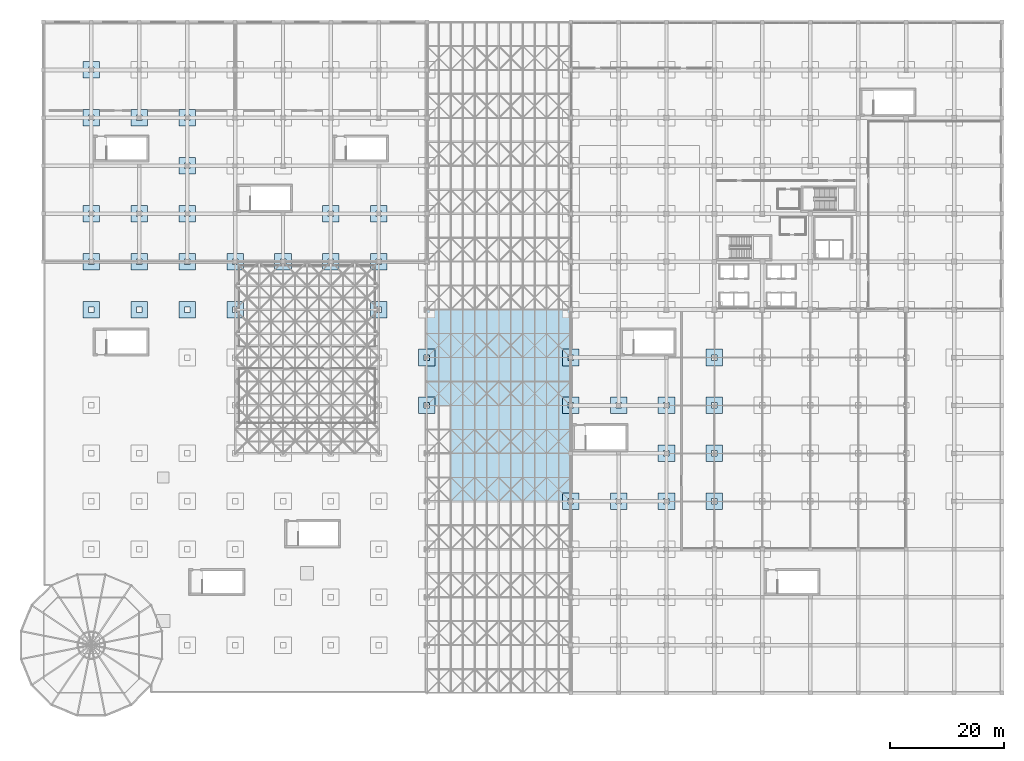
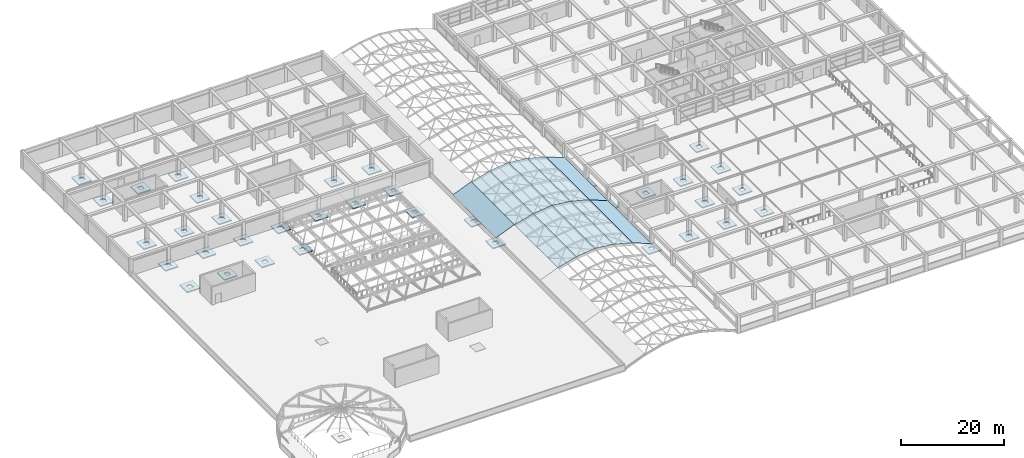
# One storey, part 67 of 85: 47 slabs, 2 elements without a shape of their own.
"""IFC4 building model written with IfcOpenShell, lengths in metres."""

import ifcopenshell
import ifcopenshell.guid

model = None  # the IFC model being written
_history = None  # IfcOwnerHistory: only IFC2X3 demands one
_inside = {}  # id of a spatial element -> (the spatial element, [elements in it])
_under = {}  # id of a project, library or spatial element -> (it, [spatial elements below it])
_declared = {}  # id of a project -> (the project, [libraries it declares])
_typed = {}  # id of a type object -> (the type object, [elements of that type])
_made_of = {}  # id of a material, layer set ... -> (it, [elements and type objects made of it])


def new_model(schema):
    """Start an empty IFC model of exactly this schema.

    Asked for "IFC4X3", IfcOpenShell would pick the latest addendum, in which some entities
    have other attributes; the version numbers below select the first issue.
    IFC2X3 requires an IfcOwnerHistory on every rooted entity: one is made here for all.
    """
    global model, _history
    if schema == "IFC4X3":
        model = ifcopenshell.file(schema_version=(4, 3, 0, 0))
    else:
        model = ifcopenshell.file(schema=schema)
    _inside.clear()
    _under.clear()
    _declared.clear()
    _typed.clear()
    _made_of.clear()
    _history = None
    if model.schema == "IFC2X3":
        org = make("IfcOrganization", Name="unknown")
        user = make(
            "IfcPersonAndOrganization",
            ThePerson=make("IfcPerson", FamilyName="unknown"),
            TheOrganization=org,
        )
        app = make(
            "IfcApplication",
            ApplicationDeveloper=org,
            Version="unknown",
            ApplicationFullName="unknown",
            ApplicationIdentifier="unknown",
        )
        _history = make(
            "IfcOwnerHistory",
            OwningUser=user,
            OwningApplication=app,
            ChangeAction="ADDED",
            CreationDate=0,
        )
    return model


def make(cls, **values):
    """One entity of the class cls with the attributes given. An attribute that is None is left unset."""
    return model.create_entity(
        cls, **{name: value for name, value in values.items() if value is not None}
    )


def rooted(cls, **values):
    """An entity with a GlobalId (a new one), such as an element, a storey or a relation."""
    return make(cls, GlobalId=ifcopenshell.guid.new(), OwnerHistory=_history, **values)


def si_unit(unit_type, name, prefix=None):
    """IfcSIUnit, for example si_unit("LENGTHUNIT", "METRE", prefix="MILLI")."""
    return make("IfcSIUnit", UnitType=unit_type, Prefix=prefix, Name=name)


def assignment(units):
    """IfcUnitAssignment: the units of a project."""
    return None if units is None else make("IfcUnitAssignment", Units=units)


def point(xyz):
    """IfcCartesianPoint."""
    return None if xyz is None else make("IfcCartesianPoint", Coordinates=xyz)


def direction(xyz):
    """IfcDirection."""
    return None if xyz is None else make("IfcDirection", DirectionRatios=xyz)


def frame(location, z_axis=None, x_axis=None):
    """IfcAxis2Placement3D, a coordinate frame: its origin and axes. An axis left out is left unset."""
    return make(
        "IfcAxis2Placement3D",
        Location=point(location),
        Axis=direction(z_axis),
        RefDirection=direction(x_axis),
    )


def origin():
    """The frame at (0, 0, 0) with its axes left unset."""
    return frame((0.0, 0.0, 0.0))


def place(relative_to, where):
    """IfcLocalPlacement: puts the frame where relative to a parent placement (None: the world)."""
    return make(
        "IfcLocalPlacement", PlacementRelTo=relative_to, RelativePlacement=where
    )


def context(
    kind, dimensions, precision=None, world=None, true_north=None, identifier=None
):
    """IfcGeometricRepresentationContext, for example the 3D "Model" context."""
    return make(
        "IfcGeometricRepresentationContext",
        ContextIdentifier=identifier,
        ContextType=kind,
        CoordinateSpaceDimension=dimensions,
        Precision=precision,
        WorldCoordinateSystem=world,
        TrueNorth=true_north,
    )


def subcontext(parent, identifier, kind, view, scale=None):
    """IfcGeometricRepresentationSubContext, for example "Body" below "Model"."""
    return make(
        "IfcGeometricRepresentationSubContext",
        ContextIdentifier=identifier,
        ContextType=kind,
        ParentContext=parent,
        TargetScale=scale,
        TargetView=view,
    )


def project(units=None, contexts=None):
    """IfcProject with its units and contexts."""
    return rooted(
        "IfcProject",
        Name="project",
        RepresentationContexts=contexts,
        UnitsInContext=assignment(units),
    )


def spatial(cls, under=None, at=None, **own):
    """A site, building, storey or space (cls), placed at a placement, below another one or the project."""
    s = rooted(cls, ObjectPlacement=at, **own)
    if under is not None:
        _under.setdefault(under.id(), (under, []))[1].append(s)
    return s


def polyline(points):
    """IfcPolyline through the points."""
    return make("IfcPolyline", Points=[point(p) for p in points])


def outline(outer, holes=None, kind="AREA"):
    """IfcArbitraryClosedProfileDef: a profile drawn as a closed curve; with holes, ...WithVoids."""
    if holes is None:
        return make("IfcArbitraryClosedProfileDef", ProfileType=kind, OuterCurve=outer)
    return make(
        "IfcArbitraryProfileDefWithVoids",
        ProfileType=kind,
        OuterCurve=outer,
        InnerCurves=holes,
    )


def extrude(swept, where, along, depth):
    """IfcExtrudedAreaSolid: the profile swept, set in the frame where, extruded along a direction by depth."""
    return make(
        "IfcExtrudedAreaSolid",
        SweptArea=swept,
        Position=where,
        ExtrudedDirection=direction(along),
        Depth=depth,
    )


def shape(context_of_items, identifier, shape_type, items):
    """IfcShapeRepresentation: the items that make up one representation, for example the "Body"."""
    return make(
        "IfcShapeRepresentation",
        ContextOfItems=context_of_items,
        RepresentationIdentifier=identifier,
        RepresentationType=shape_type,
        Items=items,
    )


def material(Name=None, Category=None):
    """IfcMaterial."""
    return make("IfcMaterial", Name=Name, Category=Category)


def layer(
    of_material, thickness, ventilated=None, Name=None, Category=None, Priority=None
):
    """IfcMaterialLayer: one layer of a wall or slab, of a material (None: an air gap)."""
    return make(
        "IfcMaterialLayer",
        Material=of_material,
        LayerThickness=thickness,
        IsVentilated=ventilated,
        Name=Name,
        Category=Category,
        Priority=Priority,
    )


def layer_set(layers, Name=None):
    """IfcMaterialLayerSet."""
    return make("IfcMaterialLayerSet", MaterialLayers=layers, LayerSetName=Name)


def made_of(thing, what):
    """Note that an element or type object is made of a material, layer set ...; save() writes the relation."""
    if what is not None:
        _made_of.setdefault(what.id(), (what, []))[1].append(thing)
    return thing


def type_object(cls, material=None, **own):
    """A type object (cls), such as IfcWallType, which elements share."""
    return made_of(rooted(cls, **own), material)


def element(
    cls,
    number,
    at=None,
    inside=None,
    cuts=None,
    type_object=None,
    material=None,
    context=None,
    identifier="Body",
    shape_type=None,
    held_by="IfcProductDefinitionShape",
    body=None,
    shapes=None,
    **own,
):
    """One element of the class cls, such as IfcWall. Its Tag is "e" and its number.

    at: its placement. inside: the storey or other place that contains it. cuts: it is an
    opening in that element (IfcRelVoidsElement). A single representation is given by context,
    identifier, shape_type and body (its items); several are given by shapes. held_by: the class
    of the entity that holds the representations. save() writes the other relations.
    """
    e = rooted(cls, Tag="e%d" % number, ObjectPlacement=at, **own)
    if body is not None:
        shapes = [shape(context, identifier, shape_type, body)]
    if shapes is not None:
        e.Representation = make(held_by, Representations=shapes)
    if inside is not None:
        _inside.setdefault(inside.id(), (inside, []))[1].append(e)
    if cuts is not None:
        rooted(
            "IfcRelVoidsElement", RelatingBuildingElement=cuts, RelatedOpeningElement=e
        )
    if type_object is not None:
        _typed.setdefault(type_object.id(), (type_object, []))[1].append(e)
    return made_of(e, material)


def aggregate(whole, parts):
    """IfcRelAggregates: a whole, such as a stair, and the parts it consists of."""
    return rooted("IfcRelAggregates", RelatingObject=whole, RelatedObjects=parts)


def save(model, path):
    """Write the relations noted so far, then the file.

    IfcRelAggregates (storeys below a building ...), IfcRelContainedInSpatialStructure (elements
    in a storey), IfcRelDefinesByType, IfcRelAssociatesMaterial and IfcRelDeclares: one each for
    every whole, place, type object, material and project.
    """
    for whole, parts in _under.values():
        aggregate(whole, parts)
    for where, things in _inside.values():
        rooted(
            "IfcRelContainedInSpatialStructure",
            RelatedElements=things,
            RelatingStructure=where,
        )
    for kind, things in _typed.values():
        rooted("IfcRelDefinesByType", RelatedObjects=things, RelatingType=kind)
    for what, things in _made_of.values():
        rooted("IfcRelAssociatesMaterial", RelatedObjects=things, RelatingMaterial=what)
    for by, libraries in _declared.values():
        rooted("IfcRelDeclares", RelatingContext=by, RelatedDefinitions=libraries)
    model.write(path)


model = new_model("IFC4")

# Units and contexts
model_context = context("Model", 3, precision=1e-05, world=origin(), true_north=direction((0.0, 1.0)))
body_context = subcontext(model_context, "Body", "Model", "MODEL_VIEW")
ifc_project = project(units=[si_unit("LENGTHUNIT", "METRE"), si_unit("AREAUNIT", "SQUARE_METRE"), si_unit("VOLUMEUNIT", "CUBIC_METRE"), si_unit("PLANEANGLEUNIT", "RADIAN"), si_unit("MASSUNIT", "GRAM", prefix="KILO")], contexts=[model_context])

# Site, building, storey
site_placement = place(None, origin())
site = spatial("IfcSite", under=ifc_project, at=site_placement, CompositionType="ELEMENT")
building_placement = place(site_placement, origin())
building = spatial("IfcBuilding", under=site, at=building_placement, Name="Almacenes y Pasaje Nevantli", CompositionType="ELEMENT")
storey_placement = place(building_placement, frame((0.0, 0.0, 22.199951171875)))
storey = spatial("IfcBuildingStorey", under=building, at=storey_placement, Name="L05", CompositionType="ELEMENT", Elevation=22.199951171875)

# Slabs
ifc_material_1 = material(Name="Concrete C35/45", Category="concrete")
ifc_layer_1 = layer(ifc_material_1, 0.25)
ifc_layer_set_1 = layer_set([ifc_layer_1], Name="Concrete C35/45")
slab_type_1 = type_object("IfcSlabType", Name="SLB-DP-250", PredefinedType="USERDEFINED", material=ifc_layer_set_1)
slab_1_placement = place(storey_placement, frame((0.0, 0.0, -0.550048828125)))
element("IfcSlab", 1, at=slab_1_placement, inside=storey, type_object=slab_type_1, Name="L05 Punching-Shear Drop Panel DP-02 #929", ObjectType="DROP PANEL", PredefinedType="USERDEFINED", context=body_context, shape_type="SweptSolid", body=[
    extrude(outline(polyline([(6.949951171875, 65.75), (9.85009765625, 65.75), (9.85009765625, 68.64990234375), (6.949951171875, 68.64990234375), (6.949951171875, 65.75)]), holes=[polyline([(7.919921875, 66.719970703125), (8.8798828125, 66.719970703125), (8.8798828125, 67.679931640625), (7.919921875, 67.679931640625), (7.919921875, 66.719970703125)])]), origin(), (0.0, 0.0, 1.0), 0.25),
])
slab_2_placement = place(storey_placement, frame((0.0, 0.0, -0.550048828125)))
element("IfcSlab", 2, at=slab_2_placement, inside=storey, type_object=slab_type_1, Name="L05 Punching-Shear Drop Panel DP-02 #930", ObjectType="DROP PANEL", PredefinedType="USERDEFINED", context=body_context, shape_type="SweptSolid", body=[
    extrude(outline(polyline([(6.949951171875, 74.14990234375), (9.85009765625, 74.14990234375), (9.85009765625, 77.050048828125), (6.949951171875, 77.050048828125), (6.949951171875, 74.14990234375)]), holes=[polyline([(7.919921875, 75.1201171875), (8.8798828125, 75.1201171875), (8.8798828125, 76.080078125), (7.919921875, 76.080078125), (7.919921875, 75.1201171875)])]), origin(), (0.0, 0.0, 1.0), 0.25),
])
slab_3_placement = place(storey_placement, frame((0.0, 0.0, -0.550048828125)))
element("IfcSlab", 3, at=slab_3_placement, inside=storey, type_object=slab_type_1, Name="L05 Punching-Shear Drop Panel DP-02 #931", ObjectType="DROP PANEL", PredefinedType="USERDEFINED", context=body_context, shape_type="SweptSolid", body=[
    extrude(outline(polyline([(6.949951171875, 82.550048828125), (9.85009765625, 82.550048828125), (9.85009765625, 85.449951171875), (6.949951171875, 85.449951171875), (6.949951171875, 82.550048828125)]), holes=[polyline([(7.919921875, 83.52001953125), (8.8798828125, 83.52001953125), (8.8798828125, 84.47998046875), (7.919921875, 84.47998046875), (7.919921875, 83.52001953125)])]), origin(), (0.0, 0.0, 1.0), 0.25),
])
slab_4_placement = place(storey_placement, frame((0.0, 0.0, -0.550048828125)))
element("IfcSlab", 4, at=slab_4_placement, inside=storey, type_object=slab_type_1, Name="L05 Punching-Shear Drop Panel DP-02 #932", ObjectType="DROP PANEL", PredefinedType="USERDEFINED", context=body_context, shape_type="SweptSolid", body=[
    extrude(outline(polyline([(6.949951171875, 99.35009765625), (9.85009765625, 99.35009765625), (9.85009765625, 102.25), (6.949951171875, 102.25), (6.949951171875, 99.35009765625)]), holes=[polyline([(7.919921875, 100.320068359375), (8.8798828125, 100.320068359375), (8.8798828125, 101.280029296875), (7.919921875, 101.280029296875), (7.919921875, 100.320068359375)])]), origin(), (0.0, 0.0, 1.0), 0.25),
])
slab_5_placement = place(storey_placement, frame((0.0, 0.0, -0.550048828125)))
element("IfcSlab", 5, at=slab_5_placement, inside=storey, type_object=slab_type_1, Name="L05 Punching-Shear Drop Panel DP-02 #933", ObjectType="DROP PANEL", PredefinedType="USERDEFINED", context=body_context, shape_type="SweptSolid", body=[
    extrude(outline(polyline([(6.949951171875, 107.75), (9.85009765625, 107.75), (9.85009765625, 110.64990234375), (6.949951171875, 110.64990234375), (6.949951171875, 107.75)]), holes=[polyline([(7.919921875, 108.719970703125), (8.8798828125, 108.719970703125), (8.8798828125, 109.679931640625), (7.919921875, 109.679931640625), (7.919921875, 108.719970703125)])]), origin(), (0.0, 0.0, 1.0), 0.25),
])
slab_6_placement = place(storey_placement, frame((0.0, 0.0, -0.550048828125)))
element("IfcSlab", 6, at=slab_6_placement, inside=storey, type_object=slab_type_1, Name="L05 Punching-Shear Drop Panel DP-02 #937", ObjectType="DROP PANEL", PredefinedType="USERDEFINED", context=body_context, shape_type="SweptSolid", body=[
    extrude(outline(polyline([(15.35009765625, 65.75), (18.25, 65.75), (18.25, 68.64990234375), (15.35009765625, 68.64990234375), (15.35009765625, 65.75)]), holes=[polyline([(16.320068359375, 66.719970703125), (17.280029296875, 66.719970703125), (17.280029296875, 67.679931640625), (16.320068359375, 67.679931640625), (16.320068359375, 66.719970703125)])]), origin(), (0.0, 0.0, 1.0), 0.25),
])
slab_7_placement = place(storey_placement, frame((0.0, 0.0, -0.550048828125)))
element("IfcSlab", 7, at=slab_7_placement, inside=storey, type_object=slab_type_1, Name="L05 Punching-Shear Drop Panel DP-02 #938", ObjectType="DROP PANEL", PredefinedType="USERDEFINED", context=body_context, shape_type="SweptSolid", body=[
    extrude(outline(polyline([(15.35009765625, 74.14990234375), (18.25, 74.14990234375), (18.25, 77.050048828125), (15.35009765625, 77.050048828125), (15.35009765625, 74.14990234375)]), holes=[polyline([(16.320068359375, 75.1201171875), (17.280029296875, 75.1201171875), (17.280029296875, 76.080078125), (16.320068359375, 76.080078125), (16.320068359375, 75.1201171875)])]), origin(), (0.0, 0.0, 1.0), 0.25),
])
slab_8_placement = place(storey_placement, frame((0.0, 0.0, -0.550048828125)))
element("IfcSlab", 8, at=slab_8_placement, inside=storey, type_object=slab_type_1, Name="L05 Punching-Shear Drop Panel DP-02 #939", ObjectType="DROP PANEL", PredefinedType="USERDEFINED", context=body_context, shape_type="SweptSolid", body=[
    extrude(outline(polyline([(15.35009765625, 82.550048828125), (18.25, 82.550048828125), (18.25, 85.449951171875), (15.35009765625, 85.449951171875), (15.35009765625, 82.550048828125)]), holes=[polyline([(16.320068359375, 83.52001953125), (17.280029296875, 83.52001953125), (17.280029296875, 84.47998046875), (16.320068359375, 84.47998046875), (16.320068359375, 83.52001953125)])]), origin(), (0.0, 0.0, 1.0), 0.25),
])
slab_9_placement = place(storey_placement, frame((0.0, 0.0, -0.550048828125)))
element("IfcSlab", 9, at=slab_9_placement, inside=storey, type_object=slab_type_1, Name="L05 Punching-Shear Drop Panel DP-02 #940", ObjectType="DROP PANEL", PredefinedType="USERDEFINED", context=body_context, shape_type="SweptSolid", body=[
    extrude(outline(polyline([(15.35009765625, 99.35009765625), (18.25, 99.35009765625), (18.25, 102.25), (15.35009765625, 102.25), (15.35009765625, 99.35009765625)]), holes=[polyline([(16.320068359375, 100.320068359375), (17.280029296875, 100.320068359375), (17.280029296875, 101.280029296875), (16.320068359375, 101.280029296875), (16.320068359375, 100.320068359375)])]), origin(), (0.0, 0.0, 1.0), 0.25),
])
slab_10_placement = place(storey_placement, frame((0.0, 0.0, -0.550048828125)))
element("IfcSlab", 10, at=slab_10_placement, inside=storey, type_object=slab_type_1, Name="L05 Punching-Shear Drop Panel DP-02 #947", ObjectType="DROP PANEL", PredefinedType="USERDEFINED", context=body_context, shape_type="SweptSolid", body=[
    extrude(outline(polyline([(23.75, 65.75), (26.64990234375, 65.75), (26.64990234375, 68.64990234375), (23.75, 68.64990234375), (23.75, 65.75)]), holes=[polyline([(24.719970703125, 66.719970703125), (25.679931640625, 66.719970703125), (25.679931640625, 67.679931640625), (24.719970703125, 67.679931640625), (24.719970703125, 66.719970703125)])]), origin(), (0.0, 0.0, 1.0), 0.25),
])
slab_11_placement = place(storey_placement, frame((0.0, 0.0, -0.550048828125)))
element("IfcSlab", 11, at=slab_11_placement, inside=storey, type_object=slab_type_1, Name="L05 Punching-Shear Drop Panel DP-02 #948", ObjectType="DROP PANEL", PredefinedType="USERDEFINED", context=body_context, shape_type="SweptSolid", body=[
    extrude(outline(polyline([(23.75, 74.14990234375), (26.64990234375, 74.14990234375), (26.64990234375, 77.050048828125), (23.75, 77.050048828125), (23.75, 74.14990234375)]), holes=[polyline([(24.719970703125, 75.1201171875), (25.679931640625, 75.1201171875), (25.679931640625, 76.080078125), (24.719970703125, 76.080078125), (24.719970703125, 75.1201171875)])]), origin(), (0.0, 0.0, 1.0), 0.25),
])
slab_12_placement = place(storey_placement, frame((0.0, 0.0, -0.550048828125)))
element("IfcSlab", 12, at=slab_12_placement, inside=storey, type_object=slab_type_1, Name="L05 Punching-Shear Drop Panel DP-02 #949", ObjectType="DROP PANEL", PredefinedType="USERDEFINED", context=body_context, shape_type="SweptSolid", body=[
    extrude(outline(polyline([(23.75, 82.550048828125), (26.64990234375, 82.550048828125), (26.64990234375, 85.449951171875), (23.75, 85.449951171875), (23.75, 82.550048828125)]), holes=[polyline([(24.719970703125, 83.52001953125), (25.679931640625, 83.52001953125), (25.679931640625, 84.47998046875), (24.719970703125, 84.47998046875), (24.719970703125, 83.52001953125)])]), origin(), (0.0, 0.0, 1.0), 0.25),
])
slab_13_placement = place(storey_placement, frame((0.0, 0.0, -0.550048828125)))
element("IfcSlab", 13, at=slab_13_placement, inside=storey, type_object=slab_type_1, Name="L05 Punching-Shear Drop Panel DP-02 #950", ObjectType="DROP PANEL", PredefinedType="USERDEFINED", context=body_context, shape_type="SweptSolid", body=[
    extrude(outline(polyline([(23.75, 90.949951171875), (26.64990234375, 90.949951171875), (26.64990234375, 93.85009765625), (23.75, 93.85009765625), (23.75, 90.949951171875)]), holes=[polyline([(24.719970703125, 91.919921875), (25.679931640625, 91.919921875), (25.679931640625, 92.8798828125), (24.719970703125, 92.8798828125), (24.719970703125, 91.919921875)])]), origin(), (0.0, 0.0, 1.0), 0.25),
])
slab_14_placement = place(storey_placement, frame((0.0, 0.0, -0.550048828125)))
element("IfcSlab", 14, at=slab_14_placement, inside=storey, type_object=slab_type_1, Name="L05 Punching-Shear Drop Panel DP-02 #951", ObjectType="DROP PANEL", PredefinedType="USERDEFINED", context=body_context, shape_type="SweptSolid", body=[
    extrude(outline(polyline([(23.75, 99.35009765625), (26.64990234375, 99.35009765625), (26.64990234375, 102.25), (23.75, 102.25), (23.75, 99.35009765625)]), holes=[polyline([(24.719970703125, 100.320068359375), (25.679931640625, 100.320068359375), (25.679931640625, 101.280029296875), (24.719970703125, 101.280029296875), (24.719970703125, 100.320068359375)])]), origin(), (0.0, 0.0, 1.0), 0.25),
])
slab_15_placement = place(storey_placement, frame((0.0, 0.0, -0.550048828125)))
element("IfcSlab", 15, at=slab_15_placement, inside=storey, type_object=slab_type_1, Name="L05 Punching-Shear Drop Panel DP-02 #959", ObjectType="DROP PANEL", PredefinedType="USERDEFINED", context=body_context, shape_type="SweptSolid", body=[
    extrude(outline(polyline([(32.14990234375, 65.75), (35.050048828125, 65.75), (35.050048828125, 68.64990234375), (32.14990234375, 68.64990234375), (32.14990234375, 65.75)]), holes=[polyline([(33.1201171875, 66.719970703125), (34.080078125, 66.719970703125), (34.080078125, 67.679931640625), (33.1201171875, 67.679931640625), (33.1201171875, 66.719970703125)])]), origin(), (0.0, 0.0, 1.0), 0.25),
])
slab_16_placement = place(storey_placement, frame((0.0, 0.0, -0.550048828125)))
element("IfcSlab", 16, at=slab_16_placement, inside=storey, type_object=slab_type_1, Name="L05 Punching-Shear Drop Panel DP-02 #960", ObjectType="DROP PANEL", PredefinedType="USERDEFINED", context=body_context, shape_type="SweptSolid", body=[
    extrude(outline(polyline([(32.14990234375, 74.14990234375), (35.050048828125, 74.14990234375), (35.050048828125, 77.050048828125), (32.14990234375, 77.050048828125), (32.14990234375, 74.14990234375)]), holes=[polyline([(33.1201171875, 75.1201171875), (34.080078125, 75.1201171875), (34.080078125, 76.080078125), (33.1201171875, 76.080078125), (33.1201171875, 75.1201171875)])]), origin(), (0.0, 0.0, 1.0), 0.25),
])
slab_17_placement = place(storey_placement, frame((0.0, 0.0, -0.550048828125)))
element("IfcSlab", 17, at=slab_17_placement, inside=storey, type_object=slab_type_1, Name="L05 Punching-Shear Drop Panel DP-02 #968", ObjectType="DROP PANEL", PredefinedType="USERDEFINED", context=body_context, shape_type="SweptSolid", body=[
    extrude(outline(polyline([(40.550048828125, 74.14990234375), (43.449951171875, 74.14990234375), (43.449951171875, 77.050048828125), (40.550048828125, 77.050048828125), (40.550048828125, 74.14990234375)]), holes=[polyline([(41.52001953125, 75.1201171875), (42.47998046875, 75.1201171875), (42.47998046875, 76.080078125), (41.52001953125, 76.080078125), (41.52001953125, 75.1201171875)])]), origin(), (0.0, 0.0, 1.0), 0.25),
])
slab_18_placement = place(storey_placement, frame((0.0, 0.0, -0.550048828125)))
element("IfcSlab", 18, at=slab_18_placement, inside=storey, type_object=slab_type_1, Name="L05 Punching-Shear Drop Panel DP-02 #976", ObjectType="DROP PANEL", PredefinedType="USERDEFINED", context=body_context, shape_type="SweptSolid", body=[
    extrude(outline(polyline([(48.949951171875, 74.14990234375), (51.85009765625, 74.14990234375), (51.85009765625, 77.050048828125), (48.949951171875, 77.050048828125), (48.949951171875, 74.14990234375)]), holes=[polyline([(49.919921875, 75.1201171875), (50.8798828125, 75.1201171875), (50.8798828125, 76.080078125), (49.919921875, 76.080078125), (49.919921875, 75.1201171875)])]), origin(), (0.0, 0.0, 1.0), 0.25),
])
slab_19_placement = place(storey_placement, frame((0.0, 0.0, -0.550048828125)))
element("IfcSlab", 19, at=slab_19_placement, inside=storey, type_object=slab_type_1, Name="L05 Punching-Shear Drop Panel DP-02 #977", ObjectType="DROP PANEL", PredefinedType="USERDEFINED", context=body_context, shape_type="SweptSolid", body=[
    extrude(outline(polyline([(48.949951171875, 82.550048828125), (51.85009765625, 82.550048828125), (51.85009765625, 85.449951171875), (48.949951171875, 85.449951171875), (48.949951171875, 82.550048828125)]), holes=[polyline([(49.919921875, 83.52001953125), (50.8798828125, 83.52001953125), (50.8798828125, 84.47998046875), (49.919921875, 84.47998046875), (49.919921875, 83.52001953125)])]), origin(), (0.0, 0.0, 1.0), 0.25),
])
slab_20_placement = place(storey_placement, frame((0.0, 0.0, -0.550048828125)))
element("IfcSlab", 20, at=slab_20_placement, inside=storey, type_object=slab_type_1, Name="L05 Punching-Shear Drop Panel DP-02 #987", ObjectType="DROP PANEL", PredefinedType="USERDEFINED", context=body_context, shape_type="SweptSolid", body=[
    extrude(outline(polyline([(57.35009765625, 65.75), (60.25, 65.75), (60.25, 68.64990234375), (57.35009765625, 68.64990234375), (57.35009765625, 65.75)]), holes=[polyline([(58.320068359375, 66.719970703125), (59.280029296875, 66.719970703125), (59.280029296875, 67.679931640625), (58.320068359375, 67.679931640625), (58.320068359375, 66.719970703125)])]), origin(), (0.0, 0.0, 1.0), 0.25),
])
slab_21_placement = place(storey_placement, frame((0.0, 0.0, -0.550048828125)))
element("IfcSlab", 21, at=slab_21_placement, inside=storey, type_object=slab_type_1, Name="L05 Punching-Shear Drop Panel DP-02 #988", ObjectType="DROP PANEL", PredefinedType="USERDEFINED", context=body_context, shape_type="SweptSolid", body=[
    extrude(outline(polyline([(57.35009765625, 74.14990234375), (60.25, 74.14990234375), (60.25, 77.050048828125), (57.35009765625, 77.050048828125), (57.35009765625, 74.14990234375)]), holes=[polyline([(58.320068359375, 75.1201171875), (59.280029296875, 75.1201171875), (59.280029296875, 76.080078125), (58.320068359375, 76.080078125), (58.320068359375, 75.1201171875)])]), origin(), (0.0, 0.0, 1.0), 0.25),
])
slab_22_placement = place(storey_placement, frame((0.0, 0.0, -0.550048828125)))
element("IfcSlab", 22, at=slab_22_placement, inside=storey, type_object=slab_type_1, Name="L05 Punching-Shear Drop Panel DP-02 #989", ObjectType="DROP PANEL", PredefinedType="USERDEFINED", context=body_context, shape_type="SweptSolid", body=[
    extrude(outline(polyline([(57.35009765625, 82.550048828125), (60.25, 82.550048828125), (60.25, 85.449951171875), (57.35009765625, 85.449951171875), (57.35009765625, 82.550048828125)]), holes=[polyline([(58.320068359375, 83.52001953125), (59.280029296875, 83.52001953125), (59.280029296875, 84.47998046875), (58.320068359375, 84.47998046875), (58.320068359375, 83.52001953125)])]), origin(), (0.0, 0.0, 1.0), 0.25),
])
slab_23_placement = place(storey_placement, frame((0.0, 0.0, -0.550048828125)))
element("IfcSlab", 23, at=slab_23_placement, inside=storey, type_object=slab_type_1, Name="L05 Punching-Shear Drop Panel DP-02 #997", ObjectType="DROP PANEL", PredefinedType="USERDEFINED", context=body_context, shape_type="SweptSolid", body=[
    extrude(outline(polyline([(65.75, 48.949951171875), (68.64990234375, 48.949951171875), (68.64990234375, 51.85009765625), (65.75, 51.85009765625), (65.75, 48.949951171875)]), holes=[polyline([(66.719970703125, 49.919921875), (67.679931640625, 49.919921875), (67.679931640625, 50.8798828125), (66.719970703125, 50.8798828125), (66.719970703125, 49.919921875)])]), origin(), (0.0, 0.0, 1.0), 0.25),
])
slab_24_placement = place(storey_placement, frame((0.0, 0.0, -0.550048828125)))
element("IfcSlab", 24, at=slab_24_placement, inside=storey, type_object=slab_type_1, Name="L05 Punching-Shear Drop Panel DP-02 #998", ObjectType="DROP PANEL", PredefinedType="USERDEFINED", context=body_context, shape_type="SweptSolid", body=[
    extrude(outline(polyline([(65.75, 57.35009765625), (68.64990234375, 57.35009765625), (68.64990234375, 60.25), (65.75, 60.25), (65.75, 57.35009765625)]), holes=[polyline([(66.719970703125, 58.320068359375), (67.679931640625, 58.320068359375), (67.679931640625, 59.280029296875), (66.719970703125, 59.280029296875), (66.719970703125, 58.320068359375)])]), origin(), (0.0, 0.0, 1.0), 0.25),
])
slab_25_placement = place(storey_placement, frame((0.0, 0.0, -0.550048828125)))
element("IfcSlab", 25, at=slab_25_placement, inside=storey, type_object=slab_type_1, Name="L05 Punching-Shear Drop Panel DP-02 #1008", ObjectType="DROP PANEL", PredefinedType="USERDEFINED", context=body_context, shape_type="SweptSolid", body=[
    extrude(outline(polyline([(90.949951171875, 32.14990234375), (93.85009765625, 32.14990234375), (93.85009765625, 35.050048828125), (90.949951171875, 35.050048828125), (90.949951171875, 32.14990234375)]), holes=[polyline([(91.919921875, 33.1201171875), (92.8798828125, 33.1201171875), (92.8798828125, 34.080078125), (91.919921875, 34.080078125), (91.919921875, 33.1201171875)])]), origin(), (0.0, 0.0, 1.0), 0.25),
])
slab_26_placement = place(storey_placement, frame((0.0, 0.0, -0.550048828125)))
element("IfcSlab", 26, at=slab_26_placement, inside=storey, type_object=slab_type_1, Name="L05 Punching-Shear Drop Panel DP-02 #1009", ObjectType="DROP PANEL", PredefinedType="USERDEFINED", context=body_context, shape_type="SweptSolid", body=[
    extrude(outline(polyline([(90.949951171875, 48.949951171875), (93.85009765625, 48.949951171875), (93.85009765625, 51.85009765625), (90.949951171875, 51.85009765625), (90.949951171875, 48.949951171875)]), holes=[polyline([(91.919921875, 49.919921875), (92.8798828125, 49.919921875), (92.8798828125, 50.8798828125), (91.919921875, 50.8798828125), (91.919921875, 49.919921875)])]), origin(), (0.0, 0.0, 1.0), 0.25),
])
slab_27_placement = place(storey_placement, frame((0.0, 0.0, -0.550048828125)))
element("IfcSlab", 27, at=slab_27_placement, inside=storey, type_object=slab_type_1, Name="L05 Punching-Shear Drop Panel DP-02 #1010", ObjectType="DROP PANEL", PredefinedType="USERDEFINED", context=body_context, shape_type="SweptSolid", body=[
    extrude(outline(polyline([(90.949951171875, 57.35009765625), (93.85009765625, 57.35009765625), (93.85009765625, 60.25), (90.949951171875, 60.25), (90.949951171875, 57.35009765625)]), holes=[polyline([(91.919921875, 58.320068359375), (92.8798828125, 58.320068359375), (92.8798828125, 59.280029296875), (91.919921875, 59.280029296875), (91.919921875, 58.320068359375)])]), origin(), (0.0, 0.0, 1.0), 0.25),
])
slab_28_placement = place(storey_placement, frame((0.0, 0.0, -0.550048828125)))
element("IfcSlab", 28, at=slab_28_placement, inside=storey, type_object=slab_type_1, Name="L05 Punching-Shear Drop Panel DP-02 #1020", ObjectType="DROP PANEL", PredefinedType="USERDEFINED", context=body_context, shape_type="SweptSolid", body=[
    extrude(outline(polyline([(99.35009765625, 32.14990234375), (102.25, 32.14990234375), (102.25, 35.050048828125), (99.35009765625, 35.050048828125), (99.35009765625, 32.14990234375)]), holes=[polyline([(100.320068359375, 33.1201171875), (101.280029296875, 33.1201171875), (101.280029296875, 34.080078125), (100.320068359375, 34.080078125), (100.320068359375, 33.1201171875)])]), origin(), (0.0, 0.0, 1.0), 0.25),
])
slab_29_placement = place(storey_placement, frame((0.0, 0.0, -0.550048828125)))
element("IfcSlab", 29, at=slab_29_placement, inside=storey, type_object=slab_type_1, Name="L05 Punching-Shear Drop Panel DP-02 #1021", ObjectType="DROP PANEL", PredefinedType="USERDEFINED", context=body_context, shape_type="SweptSolid", body=[
    extrude(outline(polyline([(99.35009765625, 48.949951171875), (102.25, 48.949951171875), (102.25, 51.85009765625), (99.35009765625, 51.85009765625), (99.35009765625, 48.949951171875)]), holes=[polyline([(100.320068359375, 49.919921875), (101.280029296875, 49.919921875), (101.280029296875, 50.8798828125), (100.320068359375, 50.8798828125), (100.320068359375, 49.919921875)])]), origin(), (0.0, 0.0, 1.0), 0.25),
])
slab_30_placement = place(storey_placement, frame((0.0, 0.0, -0.550048828125)))
element("IfcSlab", 30, at=slab_30_placement, inside=storey, type_object=slab_type_1, Name="L05 Punching-Shear Drop Panel DP-02 #1031", ObjectType="DROP PANEL", PredefinedType="USERDEFINED", context=body_context, shape_type="SweptSolid", body=[
    extrude(outline(polyline([(107.75, 32.14990234375), (110.64990234375, 32.14990234375), (110.64990234375, 35.050048828125), (107.75, 35.050048828125), (107.75, 32.14990234375)]), holes=[polyline([(108.719970703125, 33.1201171875), (109.679931640625, 33.1201171875), (109.679931640625, 34.080078125), (108.719970703125, 34.080078125), (108.719970703125, 33.1201171875)])]), origin(), (0.0, 0.0, 1.0), 0.25),
])
slab_31_placement = place(storey_placement, frame((0.0, 0.0, -0.550048828125)))
element("IfcSlab", 31, at=slab_31_placement, inside=storey, type_object=slab_type_1, Name="L05 Punching-Shear Drop Panel DP-02 #1032", ObjectType="DROP PANEL", PredefinedType="USERDEFINED", context=body_context, shape_type="SweptSolid", body=[
    extrude(outline(polyline([(107.75, 40.550048828125), (110.64990234375, 40.550048828125), (110.64990234375, 43.449951171875), (107.75, 43.449951171875), (107.75, 40.550048828125)]), holes=[polyline([(108.719970703125, 41.52001953125), (109.679931640625, 41.52001953125), (109.679931640625, 42.47998046875), (108.719970703125, 42.47998046875), (108.719970703125, 41.52001953125)])]), origin(), (0.0, 0.0, 1.0), 0.25),
])
slab_32_placement = place(storey_placement, frame((0.0, 0.0, -0.550048828125)))
element("IfcSlab", 32, at=slab_32_placement, inside=storey, type_object=slab_type_1, Name="L05 Punching-Shear Drop Panel DP-02 #1033", ObjectType="DROP PANEL", PredefinedType="USERDEFINED", context=body_context, shape_type="SweptSolid", body=[
    extrude(outline(polyline([(107.75, 48.949951171875), (110.64990234375, 48.949951171875), (110.64990234375, 51.85009765625), (107.75, 51.85009765625), (107.75, 48.949951171875)]), holes=[polyline([(108.719970703125, 49.919921875), (109.679931640625, 49.919921875), (109.679931640625, 50.8798828125), (108.719970703125, 50.8798828125), (108.719970703125, 49.919921875)])]), origin(), (0.0, 0.0, 1.0), 0.25),
])
slab_33_placement = place(storey_placement, frame((0.0, 0.0, -0.550048828125)))
element("IfcSlab", 33, at=slab_33_placement, inside=storey, type_object=slab_type_1, Name="L05 Punching-Shear Drop Panel DP-02 #1043", ObjectType="DROP PANEL", PredefinedType="USERDEFINED", context=body_context, shape_type="SweptSolid", body=[
    extrude(outline(polyline([(116.14990234375, 32.14990234375), (119.050048828125, 32.14990234375), (119.050048828125, 35.050048828125), (116.14990234375, 35.050048828125), (116.14990234375, 32.14990234375)]), holes=[polyline([(117.1201171875, 33.1201171875), (118.080078125, 33.1201171875), (118.080078125, 34.080078125), (117.1201171875, 34.080078125), (117.1201171875, 33.1201171875)])]), origin(), (0.0, 0.0, 1.0), 0.25),
])
slab_34_placement = place(storey_placement, frame((0.0, 0.0, -0.550048828125)))
element("IfcSlab", 34, at=slab_34_placement, inside=storey, type_object=slab_type_1, Name="L05 Punching-Shear Drop Panel DP-02 #1044", ObjectType="DROP PANEL", PredefinedType="USERDEFINED", context=body_context, shape_type="SweptSolid", body=[
    extrude(outline(polyline([(116.14990234375, 40.550048828125), (119.050048828125, 40.550048828125), (119.050048828125, 43.449951171875), (116.14990234375, 43.449951171875), (116.14990234375, 40.550048828125)]), holes=[polyline([(117.1201171875, 41.52001953125), (118.080078125, 41.52001953125), (118.080078125, 42.47998046875), (117.1201171875, 42.47998046875), (117.1201171875, 41.52001953125)])]), origin(), (0.0, 0.0, 1.0), 0.25),
])
slab_35_placement = place(storey_placement, frame((0.0, 0.0, -0.550048828125)))
element("IfcSlab", 35, at=slab_35_placement, inside=storey, type_object=slab_type_1, Name="L05 Punching-Shear Drop Panel DP-02 #1045", ObjectType="DROP PANEL", PredefinedType="USERDEFINED", context=body_context, shape_type="SweptSolid", body=[
    extrude(outline(polyline([(116.14990234375, 48.949951171875), (119.050048828125, 48.949951171875), (119.050048828125, 51.85009765625), (116.14990234375, 51.85009765625), (116.14990234375, 48.949951171875)]), holes=[polyline([(117.1201171875, 49.919921875), (118.080078125, 49.919921875), (118.080078125, 50.8798828125), (117.1201171875, 50.8798828125), (117.1201171875, 49.919921875)])]), origin(), (0.0, 0.0, 1.0), 0.25),
])
slab_36_placement = place(storey_placement, frame((0.0, 0.0, -0.550048828125)))
element("IfcSlab", 36, at=slab_36_placement, inside=storey, type_object=slab_type_1, Name="L05 Punching-Shear Drop Panel DP-02 #1046", ObjectType="DROP PANEL", PredefinedType="USERDEFINED", context=body_context, shape_type="SweptSolid", body=[
    extrude(outline(polyline([(116.14990234375, 57.35009765625), (119.050048828125, 57.35009765625), (119.050048828125, 60.25), (116.14990234375, 60.25), (116.14990234375, 57.35009765625)]), holes=[polyline([(117.1201171875, 58.320068359375), (118.080078125, 58.320068359375), (118.080078125, 59.280029296875), (117.1201171875, 59.280029296875), (117.1201171875, 58.320068359375)])]), origin(), (0.0, 0.0, 1.0), 0.25),
])

# Roof, slabs
ifc_material_2 = material(Name="Steel ASTM A992 and Insulated Safety Glass", Category="steel")
roof_type = type_object("IfcRoofType", Name="ROOF-BARREL-VAULT", PredefinedType="BARREL_ROOF", material=ifc_material_2)
roof_1_placement = place(storey_placement, origin())
roof_1 = element("IfcRoof", 37, at=roof_1_placement, inside=storey, type_object=roof_type, Name="Arcade Barrel Vault Glazed Skylight Roof Zone 3", PredefinedType="BARREL_ROOF")
ifc_material_3 = material(Name="Tempered Insulated Hail Safety Glass", Category="glass")
ifc_layer_2 = layer(ifc_material_3, 0.080078125)
ifc_layer_set_2 = layer_set([ifc_layer_2], Name="Tempered Insulated Hail Safety Glass")
slab_type_2 = type_object("IfcSlabType", Name="SLB-ROOF-GLASS-80", PredefinedType="ROOF", material=ifc_layer_set_2)
slab_37_placement = place(storey_placement, frame((71.39990234375, 33.60009765625, 2.420166015625), z_axis=(-0.264056551336, 0.0, 0.964507199401), x_axis=(0.964507199401, 0.0, 0.264056551336)))
slab_37 = element("IfcSlab", 38, at=slab_37_placement, type_object=slab_type_2, Name="Arcade Barrel Vault Insulated Safety Glass Roof Panel 3.2", PredefinedType="ROOF", context=body_context, shape_type="SweptSolid", body=[
    extrude(outline(polyline([(0.0, 0.0), (4.35475786506078, 0.0), (4.35475786506078, 16.799804687500004), (0.0, 16.799804687500004), (0.0, 0.0)])), origin(), (0.0, 0.0, -1.0), 0.080078125),
])
slab_38_placement = place(storey_placement, frame((75.60009765625, 33.60009765625, 3.570068359375), z_axis=(-0.118214244908, 0.0, 0.99298811287), x_axis=(0.99298811287, 0.0, 0.118214244908)))
slab_38 = element("IfcSlab", 39, at=slab_38_placement, type_object=slab_type_2, Name="Arcade Barrel Vault Insulated Safety Glass Roof Panel 3.3", PredefinedType="ROOF", context=body_context, shape_type="SweptSolid", body=[
    extrude(outline(polyline([(0.0, 0.0), (4.229608710759683, 0.0), (4.229608710759683, 16.7998046875), (0.0, 16.7998046875), (0.0, 0.0)])), origin(), (0.0, 0.0, -1.0), 0.080078125),
])
slab_39_placement = place(storey_placement, frame((79.800048828125, 33.60009765625, 4.070068359375), z_axis=(0.118214244908, 0.0, 0.99298811287), x_axis=(0.99298811287, 0.0, -0.118214244908)))
slab_39 = element("IfcSlab", 40, at=slab_39_placement, type_object=slab_type_2, Name="Arcade Barrel Vault Insulated Safety Glass Roof Panel 3.4", PredefinedType="ROOF", context=body_context, shape_type="SweptSolid", body=[
    extrude(outline(polyline([(0.0, 0.0), (4.229608710759683, 0.0), (4.229608710759683, 16.7998046875), (0.0, 16.7998046875), (0.0, 0.0)])), origin(), (0.0, 0.0, -1.0), 0.080078125),
])
slab_40_placement = place(storey_placement, frame((84.0, 33.60009765625, 3.570068359375), z_axis=(0.264070830443, 0.0, 0.964503290046), x_axis=(0.964503290046, 0.0, -0.264070830443)))
slab_40 = element("IfcSlab", 41, at=slab_40_placement, type_object=slab_type_2, Name="Arcade Barrel Vault Insulated Safety Glass Roof Panel 3.5", PredefinedType="ROOF", context=body_context, shape_type="SweptSolid", body=[
    extrude(outline(polyline([(0.0, 0.0), (4.354522390147504, 0.0), (4.354522390147504, 16.799804687500004), (0.0, 16.799804687500004), (0.0, 0.0)])), origin(), (0.0, 0.0, -1.0), 0.080078125),
])
slab_41_placement = place(storey_placement, frame((88.199951171875, 33.60009765625, 2.420166015625), z_axis=(0.375233542792, 0.0, 0.926930303941), x_axis=(0.926930303941, 0.0, -0.375233542792)))
slab_41 = element("IfcSlab", 42, at=slab_41_placement, type_object=slab_type_2, Name="Arcade Barrel Vault Insulated Safety Glass Roof Panel 3.6", PredefinedType="ROOF", context=body_context, shape_type="SweptSolid", body=[
    extrude(outline(polyline([(0.0, 0.0), (4.531032326830295, 0.0), (4.531032326830295, 16.7998046875), (0.0, 16.7998046875), (0.0, 0.0)])), origin(), (0.0, 0.0, -1.0), 0.080078125),
])
aggregate(roof_1, [slab_37, slab_38, slab_39, slab_40, slab_41])

roof_2_placement = place(storey_placement, origin())
roof_2 = element("IfcRoof", 43, at=roof_2_placement, inside=storey, type_object=roof_type, Name="Arcade Barrel Vault Glazed Skylight Roof Zone 4", PredefinedType="BARREL_ROOF")
slab_42_placement = place(storey_placement, frame((67.199951171875, 50.39990234375, 0.719970703125), z_axis=(-0.375233542792, 0.0, 0.926930303941), x_axis=(0.926930303941, 0.0, 0.375233542792)))
slab_42 = element("IfcSlab", 44, at=slab_42_placement, type_object=slab_type_2, Name="Arcade Barrel Vault Insulated Safety Glass Roof Panel 4.1", PredefinedType="ROOF", context=body_context, shape_type="SweptSolid", body=[
    extrude(outline(polyline([(0.0, 0.0), (4.531032326830295, 0.0), (4.531032326830295, 16.800048828125), (0.0, 16.800048828125), (0.0, 0.0)])), origin(), (0.0, 0.0, -1.0), 0.080078125),
])
slab_43_placement = place(storey_placement, frame((71.39990234375, 50.39990234375, 2.420166015625), z_axis=(-0.264056551336, 0.0, 0.964507199401), x_axis=(0.964507199401, 0.0, 0.264056551336)))
slab_43 = element("IfcSlab", 45, at=slab_43_placement, type_object=slab_type_2, Name="Arcade Barrel Vault Insulated Safety Glass Roof Panel 4.2", PredefinedType="ROOF", context=body_context, shape_type="SweptSolid", body=[
    extrude(outline(polyline([(0.0, 0.0), (4.35475786506078, 0.0), (4.35475786506078, 16.800048828125), (0.0, 16.800048828125), (0.0, 0.0)])), origin(), (0.0, 0.0, -1.0), 0.080078125),
])
slab_44_placement = place(storey_placement, frame((75.60009765625, 50.39990234375, 3.570068359375), z_axis=(-0.118214244908, 0.0, 0.99298811287), x_axis=(0.99298811287, 0.0, 0.118214244908)))
slab_44 = element("IfcSlab", 46, at=slab_44_placement, type_object=slab_type_2, Name="Arcade Barrel Vault Insulated Safety Glass Roof Panel 4.3", PredefinedType="ROOF", context=body_context, shape_type="SweptSolid", body=[
    extrude(outline(polyline([(0.0, 0.0), (4.229608710759683, 0.0), (4.229608710759683, 16.800048828125), (0.0, 16.800048828125), (0.0, 0.0)])), origin(), (0.0, 0.0, -1.0), 0.080078125),
])
slab_45_placement = place(storey_placement, frame((79.800048828125, 50.39990234375, 4.070068359375), z_axis=(0.118214244908, 0.0, 0.99298811287), x_axis=(0.99298811287, 0.0, -0.118214244908)))
slab_45 = element("IfcSlab", 47, at=slab_45_placement, type_object=slab_type_2, Name="Arcade Barrel Vault Insulated Safety Glass Roof Panel 4.4", PredefinedType="ROOF", context=body_context, shape_type="SweptSolid", body=[
    extrude(outline(polyline([(0.0, 0.0), (4.229608710759683, 0.0), (4.229608710759683, 16.800048828125), (0.0, 16.800048828125), (0.0, 0.0)])), origin(), (0.0, 0.0, -1.0), 0.080078125),
])
slab_46_placement = place(storey_placement, frame((84.0, 50.39990234375, 3.570068359375), z_axis=(0.264070830443, 0.0, 0.964503290046), x_axis=(0.964503290046, 0.0, -0.264070830443)))
slab_46 = element("IfcSlab", 48, at=slab_46_placement, type_object=slab_type_2, Name="Arcade Barrel Vault Insulated Safety Glass Roof Panel 4.5", PredefinedType="ROOF", context=body_context, shape_type="SweptSolid", body=[
    extrude(outline(polyline([(0.0, 0.0), (4.354522390147504, 0.0), (4.354522390147504, 16.800048828125), (0.0, 16.800048828125), (0.0, 0.0)])), origin(), (0.0, 0.0, -1.0), 0.080078125),
])
slab_47_placement = place(storey_placement, frame((88.199951171875, 50.39990234375, 2.420166015625), z_axis=(0.375233542792, 0.0, 0.926930303941), x_axis=(0.926930303941, 0.0, -0.375233542792)))
slab_47 = element("IfcSlab", 49, at=slab_47_placement, type_object=slab_type_2, Name="Arcade Barrel Vault Insulated Safety Glass Roof Panel 4.6", PredefinedType="ROOF", context=body_context, shape_type="SweptSolid", body=[
    extrude(outline(polyline([(0.0, 0.0), (4.531032326830295, 0.0), (4.531032326830295, 16.800048828125), (0.0, 16.800048828125), (0.0, 0.0)])), origin(), (0.0, 0.0, -1.0), 0.080078125),
])
aggregate(roof_2, [slab_42, slab_43, slab_44, slab_45, slab_46, slab_47])

save(model, "model.ifc")
